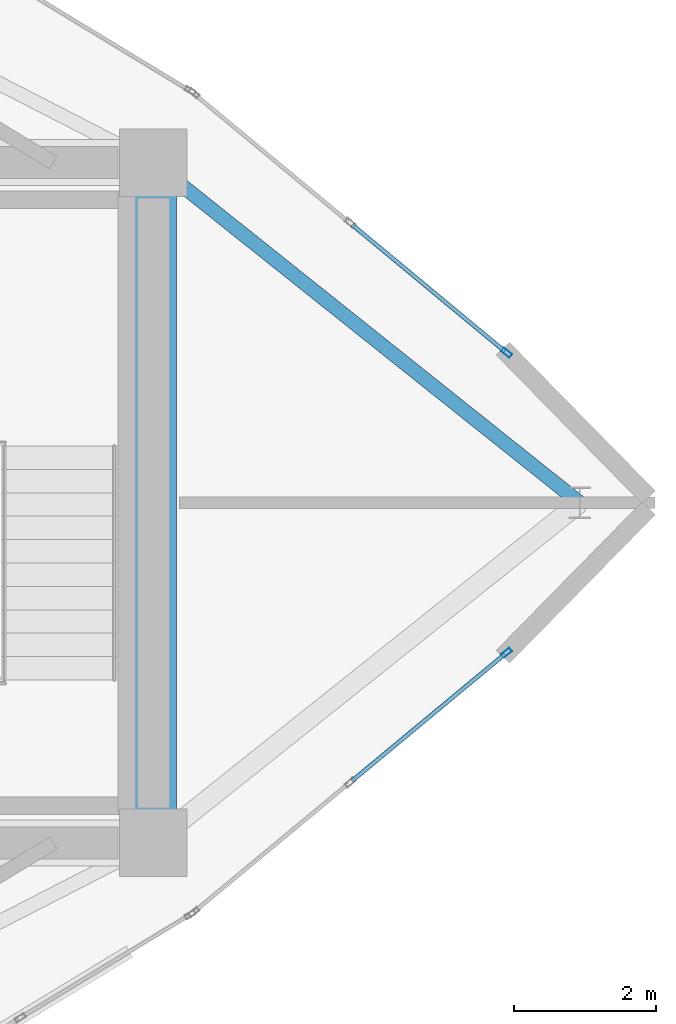
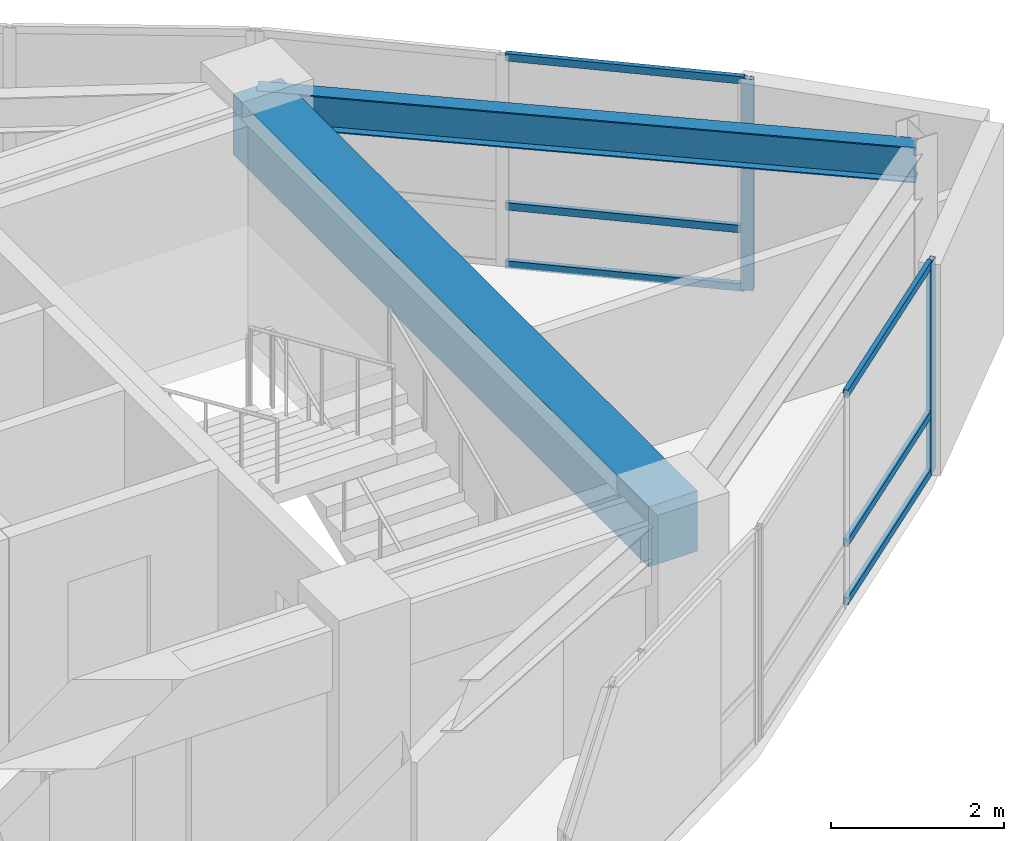
# One storey, part 6 of 14: 8 members, 2 beams, 2 elements without a shape of their own.
"""IFC4 building model written with IfcOpenShell, lengths in metres."""

from ifc_helpers import new_model, si_unit, direction, frame, origin, origin_2d, place, context, subcontext, project, spatial, rectangle, hollow_rectangle, i_section, extrude, material, layer, layer_set, material_profile, profile_set, type_object, element, aggregate, save


model = new_model("IFC4")

# Units and contexts
model_context = context("Model", 3, precision=1e-05, world=origin(), true_north=direction((0.0, 1.0)))
body_context = subcontext(model_context, "Body", "Model", "MODEL_VIEW")
ifc_project = project(units=[si_unit("LENGTHUNIT", "METRE"), si_unit("AREAUNIT", "SQUARE_METRE"), si_unit("VOLUMEUNIT", "CUBIC_METRE"), si_unit("PLANEANGLEUNIT", "RADIAN"), si_unit("MASSUNIT", "GRAM", prefix="KILO")], contexts=[model_context])

# Site, building, storey
site_placement = place(None, origin())
site = spatial("IfcSite", under=ifc_project, at=site_placement, CompositionType="ELEMENT")
building_placement = place(site_placement, origin())
building = spatial("IfcBuilding", under=site, at=building_placement, Name="Menara Vayukalpa", CompositionType="ELEMENT")
storey_placement = place(building_placement, frame((0.0, 0.0, 299.219970703125)))
storey = spatial("IfcBuildingStorey", under=building, at=storey_placement, Name="L76", CompositionType="ELEMENT", Elevation=299.219970703125)

# Beams
ifc_material_1 = material(Name="Concrete C60/75", Category="concrete")
ifc_material_profile_1 = material_profile(ifc_material_1, rectangle(XDim=0.64990234375, YDim=0.85009765625, at=origin_2d()), Name="RC 650x850")
ifc_profile_set_1 = profile_set([ifc_material_profile_1], Name="Concrete C60/75")
beam_type_1 = type_object("IfcBeamType", Name="BM-CB1", PredefinedType="BEAM", material=ifc_profile_set_1)
beam_1_placement = place(storey_placement, frame((33.39990234375, 17.199951171875, 2.554931640625), z_axis=(0.0, 1.0, 0.0), x_axis=(-1.0, 0.0, 0.0)))
element("IfcBeam", 1, at=beam_1_placement, inside=storey, type_object=beam_type_1, Name="L76 Core Tie Beam CBR8", PredefinedType="BEAM", context=body_context, shape_type="SweptSolid", body=[
    extrude(rectangle(XDim=0.64990234375, YDim=0.85009765625, at=origin_2d()), origin(), (0.0, 0.0, 1.0), 9.60009765625),
])
ifc_material_2 = material(Name="Steel S355", Category="steel")
ifc_material_profile_2 = material_profile(ifc_material_2, i_section(OverallWidth=0.199951171875, OverallDepth=0.5, WebThickness=0.010009765625, FlangeThickness=0.01611328125, at=origin_2d()), Name="WF 500x200x10x16")
ifc_profile_set_2 = profile_set([ifc_material_profile_2], Name="Steel S355")
beam_type_2 = type_object("IfcBeamType", Name="BM-SP3", PredefinedType="SPANDREL", material=ifc_profile_set_2)
beam_2_placement = place(storey_placement, frame((39.4189453125, 22.0, 2.72998046875), z_axis=(-0.781830074652, 0.6234915672, 0.0), x_axis=(-0.6234915672, -0.781830074652, 0.0)))
element("IfcBeam", 2, at=beam_2_placement, inside=storey, type_object=beam_type_2, Name="L76 Perimeter Spandrel Beam SP01", PredefinedType="SPANDREL", context=body_context, shape_type="SweptSolid", body=[
    extrude(i_section(OverallWidth=0.199951171875, OverallDepth=0.5, WebThickness=0.010009765625, FlangeThickness=0.01611328125, at=origin_2d()), origin(), (0.0, 0.0, 1.0), 7.69873046875),
])

# Curtain wall, member
ifc_material_3 = material(Name="Anodised Terracotta Aluminium Alloy 6063-T6", Category="masonry")
ifc_layer = layer(ifc_material_3, 0.14990234375)
ifc_layer_set = layer_set([ifc_layer], Name="Anodised Terracotta Aluminium Alloy 6063-T6")
curtain_wall_type = type_object("IfcCurtainWallType", Name="CW-CW7", PredefinedType="USERDEFINED", material=ifc_layer_set)
curtain_wall_1_placement = place(storey_placement, origin())
curtain_wall_1 = element("IfcCurtainWall", 3, at=curtain_wall_1_placement, inside=storey, type_object=curtain_wall_type, Name="L76 Crown Drum Screened Curtain Wall CW7 03", ObjectType="UNITISED", PredefinedType="USERDEFINED")
ifc_material_4 = material(Name="Anodised Terracotta Aluminium Alloy 6063-T6", Category="masonry")
ifc_material_profile_3 = material_profile(ifc_material_4, hollow_rectangle(XDim=0.06494140625, YDim=0.14990234375, WallThickness=0.00341796875, at=origin_2d()), Name="ALU 65x150x3.5")
ifc_profile_set_3 = profile_set([ifc_material_profile_3], Name="Anodised Terracotta Aluminium Alloy 6063-T6")
member_type_1 = type_object("IfcMemberType", Name="CWM-CW7", PredefinedType="MULLION", material=ifc_profile_set_3)
member_1_placement = place(storey_placement, frame((38.3857421875, 24.1171875, 0.0), z_axis=(0.0, 0.0, 1.0), x_axis=(-0.63834658997, -0.7697490702, 0.0)))
member_1 = element("IfcMember", 4, at=member_1_placement, type_object=member_type_1, Name="CW7 mullion 1", PredefinedType="MULLION", context=body_context, shape_type="SweptSolid", body=[
    extrude(hollow_rectangle(XDim=0.06494140625, YDim=0.14990234375, WallThickness=0.00341796875, at=origin_2d()), origin(), (0.0, 0.0, 1.0), 2.97998046875),
])

curtain_wall_2_placement = place(storey_placement, origin())
curtain_wall_2 = element("IfcCurtainWall", 5, at=curtain_wall_2_placement, inside=storey, type_object=curtain_wall_type, Name="L76 Crown Drum Screened Curtain Wall CW7 18", ObjectType="UNITISED", PredefinedType="USERDEFINED")
member_2_placement = place(storey_placement, frame((38.3857421875, 19.8828125, 0.0), z_axis=(0.0, 0.0, 1.0), x_axis=(-0.63834658997, 0.7697490702, 0.0)))
member_2 = element("IfcMember", 6, at=member_2_placement, type_object=member_type_1, Name="CW7 mullion 3", PredefinedType="MULLION", context=body_context, shape_type="SweptSolid", body=[
    extrude(hollow_rectangle(XDim=0.06494140625, YDim=0.14990234375, WallThickness=0.00341796875, at=origin_2d()), origin(), (0.0, 0.0, 1.0), 2.97998046875),
])

# Member
ifc_material_5 = material(Name="Anodised Terracotta Aluminium Alloy 6063-T6", Category="masonry")
ifc_material_profile_4 = material_profile(ifc_material_5, hollow_rectangle(XDim=0.06005859375, YDim=0.10498046875, WallThickness=0.0029296875, at=origin_2d()), Name="ALU 60x105x3")
ifc_profile_set_4 = profile_set([ifc_material_profile_4], Name="Anodised Terracotta Aluminium Alloy 6063-T6")
member_type_2 = type_object("IfcMemberType", Name="CWT-CW7", PredefinedType="USERDEFINED", material=ifc_profile_set_4)
member_3_placement = place(storey_placement, frame((38.360595703125, 24.137939453125, 0.030029296875), z_axis=(-0.769691097873, 0.638416489335, 0.0), x_axis=(-0.638416489335, -0.769691097873, 0.0)))
member_3 = element("IfcMember", 7, at=member_3_placement, type_object=member_type_2, Name="CW7 transom 1.1", ObjectType="TRANSOM", PredefinedType="USERDEFINED", context=body_context, shape_type="SweptSolid", body=[
    extrude(hollow_rectangle(XDim=0.06005859375, YDim=0.10498046875, WallThickness=0.0029296875, at=origin_2d()), origin(), (0.0, 0.0, 1.0), 2.80078125),
])

member_4_placement = place(storey_placement, frame((38.360595703125, 24.137939453125, 0.85009765625), z_axis=(-0.769691097873, 0.638416489335, 0.0), x_axis=(-0.638416489335, -0.769691097873, 0.0)))
member_4 = element("IfcMember", 8, at=member_4_placement, type_object=member_type_2, Name="CW7 transom 1.2", ObjectType="TRANSOM", PredefinedType="USERDEFINED", context=body_context, shape_type="SweptSolid", body=[
    extrude(hollow_rectangle(XDim=0.06005859375, YDim=0.10498046875, WallThickness=0.0029296875, at=origin_2d()), origin(), (0.0, 0.0, 1.0), 2.80078125),
])

member_5_placement = place(storey_placement, frame((38.360595703125, 24.137939453125, 2.949951171875), z_axis=(-0.769691097873, 0.638416489335, 0.0), x_axis=(-0.638416489335, -0.769691097873, 0.0)))
member_5 = element("IfcMember", 9, at=member_5_placement, type_object=member_type_2, Name="CW7 transom 1.3", ObjectType="TRANSOM", PredefinedType="USERDEFINED", context=body_context, shape_type="SweptSolid", body=[
    extrude(hollow_rectangle(XDim=0.06005859375, YDim=0.10498046875, WallThickness=0.0029296875, at=origin_2d()), origin(), (0.0, 0.0, 1.0), 2.80078125),
])

aggregate(curtain_wall_1, [member_1, member_3, member_4, member_5])

member_6_placement = place(storey_placement, frame((36.204833984375, 18.073974609375, 0.030029296875), z_axis=(0.769691097873, 0.638416489335, 0.0), x_axis=(-0.638416489335, 0.769691097873, 0.0)))
member_6 = element("IfcMember", 10, at=member_6_placement, type_object=member_type_2, Name="CW7 transom 2.1", ObjectType="TRANSOM", PredefinedType="USERDEFINED", context=body_context, shape_type="SweptSolid", body=[
    extrude(hollow_rectangle(XDim=0.06005859375, YDim=0.10498046875, WallThickness=0.0029296875, at=origin_2d()), origin(), (0.0, 0.0, 1.0), 2.80078125),
])

member_7_placement = place(storey_placement, frame((36.204833984375, 18.073974609375, 0.85009765625), z_axis=(0.769691097873, 0.638416489335, 0.0), x_axis=(-0.638416489335, 0.769691097873, 0.0)))
member_7 = element("IfcMember", 11, at=member_7_placement, type_object=member_type_2, Name="CW7 transom 2.2", ObjectType="TRANSOM", PredefinedType="USERDEFINED", context=body_context, shape_type="SweptSolid", body=[
    extrude(hollow_rectangle(XDim=0.06005859375, YDim=0.10498046875, WallThickness=0.0029296875, at=origin_2d()), origin(), (0.0, 0.0, 1.0), 2.80078125),
])

member_8_placement = place(storey_placement, frame((36.204833984375, 18.073974609375, 2.949951171875), z_axis=(0.769691097873, 0.638416489335, 0.0), x_axis=(-0.638416489335, 0.769691097873, 0.0)))
member_8 = element("IfcMember", 12, at=member_8_placement, type_object=member_type_2, Name="CW7 transom 2.3", ObjectType="TRANSOM", PredefinedType="USERDEFINED", context=body_context, shape_type="SweptSolid", body=[
    extrude(hollow_rectangle(XDim=0.06005859375, YDim=0.10498046875, WallThickness=0.0029296875, at=origin_2d()), origin(), (0.0, 0.0, 1.0), 2.80078125),
])

aggregate(curtain_wall_2, [member_2, member_6, member_7, member_8])

save(model, "model.ifc")
